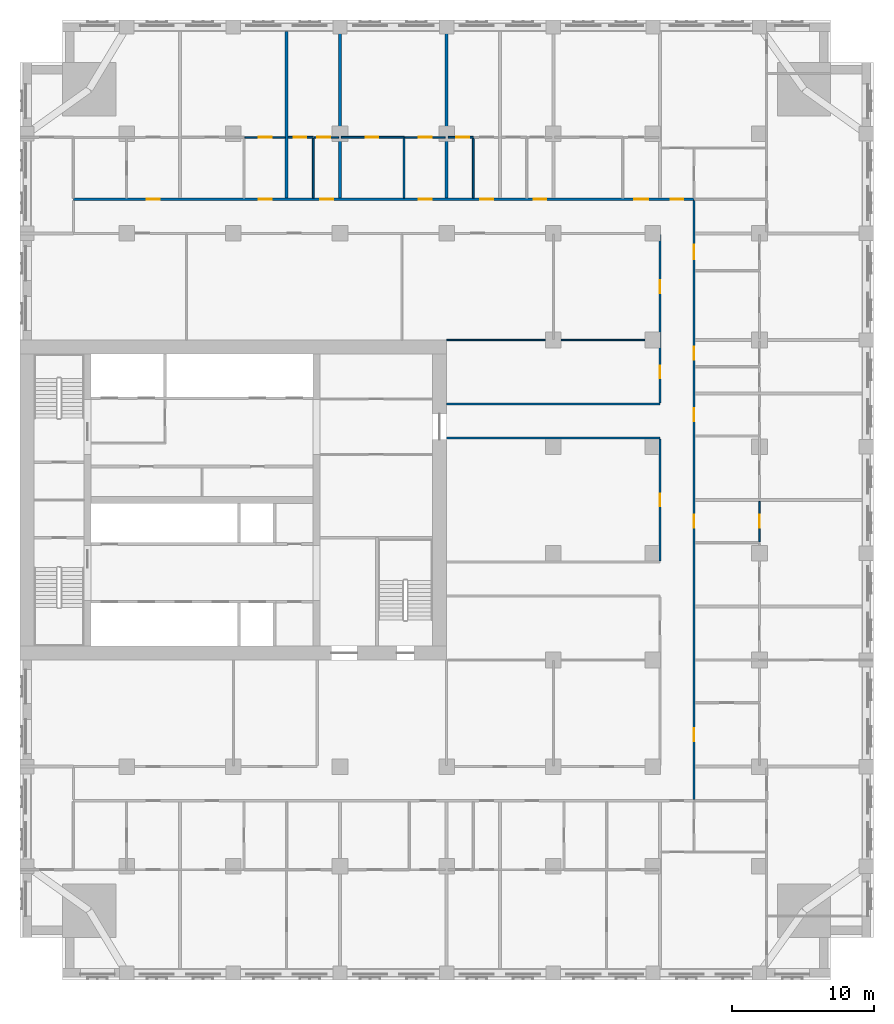
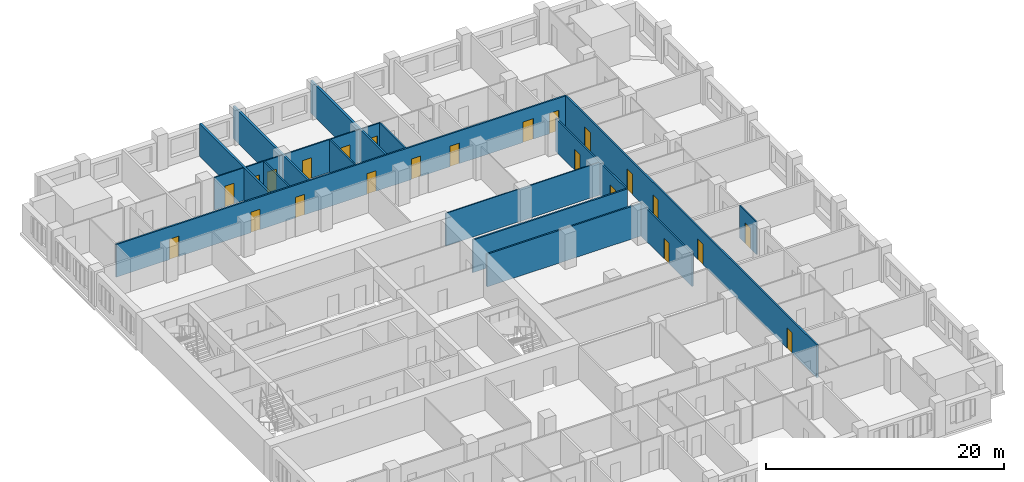
# One storey, part 9 of 14: 23 doors, 20 walls, 23 openings.
"""IFC4 building model written with IfcOpenShell, lengths in metres."""

from ifc_helpers import new_model, si_unit, direction, frame, frame_2d, origin, place, context, subcontext, project, spatial, rectangle, extrude, material, layer, layer_set, type_object, element, fill, save


model = new_model("IFC4")

# Units and contexts
model_context = context("Model", 3, precision=1e-05, world=origin(), true_north=direction((0.0, 1.0)))
body_context = subcontext(model_context, "Body", "Model", "MODEL_VIEW")
ifc_project = project(units=[si_unit("LENGTHUNIT", "METRE"), si_unit("AREAUNIT", "SQUARE_METRE"), si_unit("VOLUMEUNIT", "CUBIC_METRE"), si_unit("PLANEANGLEUNIT", "RADIAN"), si_unit("MASSUNIT", "GRAM", prefix="KILO")], contexts=[model_context])

# Site, building, storey
site_placement = place(None, origin())
site = spatial("IfcSite", under=ifc_project, at=site_placement, CompositionType="ELEMENT")
building_placement = place(site_placement, origin())
building = spatial("IfcBuilding", under=site, at=building_placement, Name="Tamorin Gate", CompositionType="ELEMENT")
storey_placement = place(building_placement, frame((0.0, 0.0, 93.5)))
storey = spatial("IfcBuildingStorey", under=building, at=storey_placement, Name="L22", CompositionType="ELEMENT", Elevation=93.5)

# Wall, openings, doors
ifc_material_1 = material(Name="Gypsum board partition")
ifc_layer_1 = layer(ifc_material_1, 0.14990234375)
ifc_layer_set_1 = layer_set([ifc_layer_1], Name="Corridor wall 150")
wall_type_1 = type_object("IfcWallType", Name="Corridor wall 150", PredefinedType="PARTITIONING", material=ifc_layer_set_1)
wall_1_placement = place(storey_placement, frame((33.75, 92.39990234375, 0.0), z_axis=(0.0, 0.0, 1.0), x_axis=(1.0, 0.0, 0.0)))
wall_1 = element("IfcWall", 1, at=wall_1_placement, inside=storey, type_object=wall_type_1, Name="Corridor wall 150", PredefinedType="PARTITIONING", context=body_context, shape_type="SweptSolid", body=[
    extrude(rectangle(XDim=43.64990234375, YDim=0.14990234375, at=frame_2d((21.824951171875, 0.0))), origin(), (0.0, 0.0, 1.0), 3.35009765625),
])
opening_1_placement = place(wall_1_placement, frame((5.175048828125, 0.0, 0.0)))
opening_1 = element("IfcOpeningElement", 2, at=opening_1_placement, cuts=wall_1, Name="Opening DH5023", PredefinedType="OPENING", context=body_context, shape_type="SweptSolid", body=[
    extrude(rectangle(XDim=0.89990234375, YDim=2.10009765625, at=frame_2d((0.449951171875, 1.050048828125))), frame((0.0, 0.0849609375, 0.0), z_axis=(0.0, -1.0, 0.0), x_axis=(1.0, 0.0, 0.0)), (0.0, 0.0, 1.0), 0.169921875),
])
opening_2_placement = place(wall_1_placement, frame((13.050048828125, 0.0, 0.0)))
opening_2 = element("IfcOpeningElement", 3, at=opening_2_placement, cuts=wall_1, Name="Opening DH5026", PredefinedType="OPENING", context=body_context, shape_type="SweptSolid", body=[
    extrude(rectangle(XDim=0.89990234375, YDim=2.10009765625, at=frame_2d((0.449951171875, 1.050048828125))), frame((0.0, 0.0849609375, 0.0), z_axis=(0.0, -1.0, 0.0), x_axis=(1.0, 0.0, 0.0)), (0.0, 0.0, 1.0), 0.169921875),
])
opening_3_placement = place(wall_1_placement, frame((17.362548828125, 0.0, 0.0)))
opening_3 = element("IfcOpeningElement", 4, at=opening_3_placement, cuts=wall_1, Name="Opening DH5029", PredefinedType="OPENING", context=body_context, shape_type="SweptSolid", body=[
    extrude(rectangle(XDim=0.89990234375, YDim=2.10009765625, at=frame_2d((0.449951171875, 1.050048828125))), frame((0.0, 0.0849609375, 0.0), z_axis=(0.0, -1.0, 0.0), x_axis=(1.0, 0.0, 0.0)), (0.0, 0.0, 1.0), 0.169921875),
])
opening_4_placement = place(wall_1_placement, frame((24.300048828125, 0.0, 0.0)))
opening_4 = element("IfcOpeningElement", 5, at=opening_4_placement, cuts=wall_1, Name="Opening DH5032", PredefinedType="OPENING", context=body_context, shape_type="SweptSolid", body=[
    extrude(rectangle(XDim=0.89990234375, YDim=2.10009765625, at=frame_2d((0.449951171875, 1.050048828125))), frame((0.0, 0.0849609375, 0.0), z_axis=(0.0, -1.0, 0.0), x_axis=(1.0, 0.0, 0.0)), (0.0, 0.0, 1.0), 0.169921875),
])
opening_5_placement = place(wall_1_placement, frame((28.612548828125, 0.0, 0.0)))
opening_5 = element("IfcOpeningElement", 6, at=opening_5_placement, cuts=wall_1, Name="Opening DH5035", PredefinedType="OPENING", context=body_context, shape_type="SweptSolid", body=[
    extrude(rectangle(XDim=0.89990234375, YDim=2.10009765625, at=frame_2d((0.449951171875, 1.050048828125))), frame((0.0, 0.0849609375, 0.0), z_axis=(0.0, -1.0, 0.0), x_axis=(1.0, 0.0, 0.0)), (0.0, 0.0, 1.0), 0.169921875),
])
opening_6_placement = place(wall_1_placement, frame((32.362548828125, 0.0, 0.0)))
opening_6 = element("IfcOpeningElement", 7, at=opening_6_placement, cuts=wall_1, Name="Opening DH5038", PredefinedType="OPENING", context=body_context, shape_type="SweptSolid", body=[
    extrude(rectangle(XDim=0.89990234375, YDim=2.10009765625, at=frame_2d((0.449951171875, 1.050048828125))), frame((0.0, 0.0849609375, 0.0), z_axis=(0.0, -1.0, 0.0), x_axis=(1.0, 0.0, 0.0)), (0.0, 0.0, 1.0), 0.169921875),
])
opening_7_placement = place(wall_1_placement, frame((39.4375, 0.0, 0.0)))
opening_7 = element("IfcOpeningElement", 8, at=opening_7_placement, cuts=wall_1, Name="Opening DH5041", PredefinedType="OPENING", context=body_context, shape_type="SweptSolid", body=[
    extrude(rectangle(XDim=1.0, YDim=2.10009765625, at=frame_2d((0.5, 1.050048828125))), frame((0.0, 0.0849609375, 0.0), z_axis=(0.0, -1.0, 0.0), x_axis=(1.0, 0.0, 0.0)), (0.0, 0.0, 1.0), 0.169921875),
])
opening_8_placement = place(wall_1_placement, frame((42.0, 0.0, 0.0)))
opening_8 = element("IfcOpeningElement", 9, at=opening_8_placement, cuts=wall_1, Name="Opening DH5066", PredefinedType="OPENING", context=body_context, shape_type="SweptSolid", body=[
    extrude(rectangle(XDim=0.89990234375, YDim=2.10009765625, at=frame_2d((0.449951171875, 1.050048828125))), frame((0.0, 0.0849609375, 0.0), z_axis=(0.0, -1.0, 0.0), x_axis=(1.0, 0.0, 0.0)), (0.0, 0.0, 1.0), 0.169921875),
])
ifc_material_2 = material(Name="Timber door leaf", Category="wood")
door_type_1 = type_object("IfcDoorType", Name="Door 1000 x 2100 FD30S", OperationType="NOTDEFINED", PredefinedType="DOOR", material=ifc_material_2)
door_1_placement = place(opening_7_placement, origin())
door_1 = element("IfcDoor", 10, at=door_1_placement, inside=storey, type_object=door_type_1, Name="Door DH5041", OperationType="SINGLE_SWING_LEFT", OverallHeight=2.10009765625, OverallWidth=1.0, PredefinedType="DOOR", context=body_context, shape_type="SweptSolid", body=[
    extrude(rectangle(XDim=1.0, YDim=2.10009765625, at=frame_2d((0.5, 1.050048828125))), frame((0.0, 0.02490234375, 0.0), z_axis=(0.0, -1.0, 0.0), x_axis=(1.0, 0.0, 0.0)), (0.0, 0.0, 1.0), 0.050048828125),
])
fill(opening_7, door_1)
door_type_2 = type_object("IfcDoorType", Name="Door 900 x 2100 FD30S", OperationType="NOTDEFINED", PredefinedType="DOOR", material=ifc_material_2)
door_2_placement = place(opening_1_placement, origin())
door_2 = element("IfcDoor", 11, at=door_2_placement, inside=storey, type_object=door_type_2, Name="Door DH5023", OperationType="SINGLE_SWING_LEFT", OverallHeight=2.10009765625, OverallWidth=0.89990234375, PredefinedType="DOOR", context=body_context, shape_type="SweptSolid", body=[
    extrude(rectangle(XDim=0.89990234375, YDim=2.10009765625, at=frame_2d((0.449951171875, 1.050048828125))), frame((0.0, 0.02490234375, 0.0), z_axis=(0.0, -1.0, 0.0), x_axis=(1.0, 0.0, 0.0)), (0.0, 0.0, 1.0), 0.050048828125),
])
fill(opening_1, door_2)
door_3_placement = place(opening_2_placement, origin())
door_3 = element("IfcDoor", 12, at=door_3_placement, inside=storey, type_object=door_type_2, Name="Door DH5026", OperationType="SINGLE_SWING_LEFT", OverallHeight=2.10009765625, OverallWidth=0.89990234375, PredefinedType="DOOR", context=body_context, shape_type="SweptSolid", body=[
    extrude(rectangle(XDim=0.89990234375, YDim=2.10009765625, at=frame_2d((0.449951171875, 1.050048828125))), frame((0.0, 0.02490234375, 0.0), z_axis=(0.0, -1.0, 0.0), x_axis=(1.0, 0.0, 0.0)), (0.0, 0.0, 1.0), 0.050048828125),
])
fill(opening_2, door_3)
door_4_placement = place(opening_3_placement, origin())
door_4 = element("IfcDoor", 13, at=door_4_placement, inside=storey, type_object=door_type_2, Name="Door DH5029", OperationType="SINGLE_SWING_LEFT", OverallHeight=2.10009765625, OverallWidth=0.89990234375, PredefinedType="DOOR", context=body_context, shape_type="SweptSolid", body=[
    extrude(rectangle(XDim=0.89990234375, YDim=2.10009765625, at=frame_2d((0.449951171875, 1.050048828125))), frame((0.0, 0.02490234375, 0.0), z_axis=(0.0, -1.0, 0.0), x_axis=(1.0, 0.0, 0.0)), (0.0, 0.0, 1.0), 0.050048828125),
])
fill(opening_3, door_4)
door_5_placement = place(opening_4_placement, origin())
door_5 = element("IfcDoor", 14, at=door_5_placement, inside=storey, type_object=door_type_2, Name="Door DH5032", OperationType="SINGLE_SWING_LEFT", OverallHeight=2.10009765625, OverallWidth=0.89990234375, PredefinedType="DOOR", context=body_context, shape_type="SweptSolid", body=[
    extrude(rectangle(XDim=0.89990234375, YDim=2.10009765625, at=frame_2d((0.449951171875, 1.050048828125))), frame((0.0, 0.02490234375, 0.0), z_axis=(0.0, -1.0, 0.0), x_axis=(1.0, 0.0, 0.0)), (0.0, 0.0, 1.0), 0.050048828125),
])
fill(opening_4, door_5)
door_6_placement = place(opening_5_placement, origin())
door_6 = element("IfcDoor", 15, at=door_6_placement, inside=storey, type_object=door_type_2, Name="Door DH5035", OperationType="SINGLE_SWING_LEFT", OverallHeight=2.10009765625, OverallWidth=0.89990234375, PredefinedType="DOOR", context=body_context, shape_type="SweptSolid", body=[
    extrude(rectangle(XDim=0.89990234375, YDim=2.10009765625, at=frame_2d((0.449951171875, 1.050048828125))), frame((0.0, 0.02490234375, 0.0), z_axis=(0.0, -1.0, 0.0), x_axis=(1.0, 0.0, 0.0)), (0.0, 0.0, 1.0), 0.050048828125),
])
fill(opening_5, door_6)
door_7_placement = place(opening_6_placement, origin())
door_7 = element("IfcDoor", 16, at=door_7_placement, inside=storey, type_object=door_type_2, Name="Door DH5038", OperationType="SINGLE_SWING_LEFT", OverallHeight=2.10009765625, OverallWidth=0.89990234375, PredefinedType="DOOR", context=body_context, shape_type="SweptSolid", body=[
    extrude(rectangle(XDim=0.89990234375, YDim=2.10009765625, at=frame_2d((0.449951171875, 1.050048828125))), frame((0.0, 0.02490234375, 0.0), z_axis=(0.0, -1.0, 0.0), x_axis=(1.0, 0.0, 0.0)), (0.0, 0.0, 1.0), 0.050048828125),
])
fill(opening_6, door_7)
door_8_placement = place(opening_8_placement, origin())
door_8 = element("IfcDoor", 17, at=door_8_placement, inside=storey, type_object=door_type_2, Name="Door DH5066", OperationType="SINGLE_SWING_RIGHT", OverallHeight=2.10009765625, OverallWidth=0.89990234375, PredefinedType="DOOR", context=body_context, shape_type="SweptSolid", body=[
    extrude(rectangle(XDim=0.89990234375, YDim=2.10009765625, at=frame_2d((0.449951171875, 1.050048828125))), frame((0.0, 0.02490234375, 0.0), z_axis=(0.0, -1.0, 0.0), x_axis=(1.0, 0.0, 0.0)), (0.0, 0.0, 1.0), 0.050048828125),
])
fill(opening_8, door_8)

# Wall, opening, door
wall_2_placement = place(storey_placement, frame((75.0, 66.97509765625, 0.0), z_axis=(0.0, 0.0, 1.0), x_axis=(0.0, 1.0, 0.0)))
wall_2 = element("IfcWall", 18, at=wall_2_placement, inside=storey, type_object=wall_type_1, Name="Corridor wall 150", PredefinedType="PARTITIONING", context=body_context, shape_type="SweptSolid", body=[
    extrude(rectangle(XDim=8.5498046875, YDim=0.14990234375, at=frame_2d((4.27490234375, 0.0))), origin(), (0.0, 0.0, 1.0), 3.35009765625),
])
opening_9_placement = place(wall_2_placement, frame((3.824951171875, 0.0, 0.0)))
opening_9 = element("IfcOpeningElement", 19, at=opening_9_placement, cuts=wall_2, Name="Opening DH5081", PredefinedType="OPENING", context=body_context, shape_type="SweptSolid", body=[
    extrude(rectangle(XDim=0.89990234375, YDim=2.10009765625, at=frame_2d((0.449951171875, 1.050048828125))), frame((0.0, 0.0849609375, 0.0), z_axis=(0.0, -1.0, 0.0), x_axis=(1.0, 0.0, 0.0)), (0.0, 0.0, 1.0), 0.169921875),
])
door_9_placement = place(opening_9_placement, origin())
door_9 = element("IfcDoor", 20, at=door_9_placement, inside=storey, type_object=door_type_2, Name="Door DH5081", OperationType="SINGLE_SWING_LEFT", OverallHeight=2.10009765625, OverallWidth=0.89990234375, PredefinedType="DOOR", context=body_context, shape_type="SweptSolid", body=[
    extrude(rectangle(XDim=0.89990234375, YDim=2.10009765625, at=frame_2d((0.449951171875, 1.050048828125))), frame((0.0, 0.02490234375, 0.0), z_axis=(0.0, -1.0, 0.0), x_axis=(1.0, 0.0, 0.0)), (0.0, 0.0, 1.0), 0.050048828125),
])
fill(opening_9, door_9)

# Wall, openings, doors
wall_3_placement = place(storey_placement, frame((75.0, 78.074951171875, 0.0), z_axis=(0.0, 0.0, 1.0), x_axis=(0.0, 1.0, 0.0)))
wall_3 = element("IfcWall", 21, at=wall_3_placement, inside=storey, type_object=wall_type_1, Name="Corridor wall 150", PredefinedType="PARTITIONING", context=body_context, shape_type="SweptSolid", body=[
    extrude(rectangle(XDim=11.85009765625, YDim=0.14990234375, at=frame_2d((5.925048828125, 0.0))), origin(), (0.0, 0.0, 1.0), 3.35009765625),
])
opening_10_placement = place(wall_3_placement, frame((7.72509765625, 0.0, 0.0)))
opening_10 = element("IfcOpeningElement", 22, at=opening_10_placement, cuts=wall_3, Name="Opening DH5079", PredefinedType="OPENING", context=body_context, shape_type="SweptSolid", body=[
    extrude(rectangle(XDim=0.89990234375, YDim=2.10009765625, at=frame_2d((0.449951171875, 1.050048828125))), frame((0.0, 0.0849609375, 0.0), z_axis=(0.0, -1.0, 0.0), x_axis=(1.0, 0.0, 0.0)), (0.0, 0.0, 1.0), 0.169921875),
])
opening_11_placement = place(wall_3_placement, frame((1.72509765625, 0.0, 0.0)))
opening_11 = element("IfcOpeningElement", 23, at=opening_11_placement, cuts=wall_3, Name="Opening DH5082", PredefinedType="OPENING", context=body_context, shape_type="SweptSolid", body=[
    extrude(rectangle(XDim=0.89990234375, YDim=2.10009765625, at=frame_2d((0.449951171875, 1.050048828125))), frame((0.0, 0.0849609375, 0.0), z_axis=(0.0, -1.0, 0.0), x_axis=(1.0, 0.0, 0.0)), (0.0, 0.0, 1.0), 0.169921875),
])
door_10_placement = place(opening_10_placement, origin())
door_10 = element("IfcDoor", 24, at=door_10_placement, inside=storey, type_object=door_type_2, Name="Door DH5079", OperationType="SINGLE_SWING_LEFT", OverallHeight=2.10009765625, OverallWidth=0.89990234375, PredefinedType="DOOR", context=body_context, shape_type="SweptSolid", body=[
    extrude(rectangle(XDim=0.89990234375, YDim=2.10009765625, at=frame_2d((0.449951171875, 1.050048828125))), frame((0.0, 0.02490234375, 0.0), z_axis=(0.0, -1.0, 0.0), x_axis=(1.0, 0.0, 0.0)), (0.0, 0.0, 1.0), 0.050048828125),
])
fill(opening_10, door_10)
door_11_placement = place(opening_11_placement, origin())
door_11 = element("IfcDoor", 25, at=door_11_placement, inside=storey, type_object=door_type_2, Name="Door DH5082", OperationType="SINGLE_SWING_LEFT", OverallHeight=2.10009765625, OverallWidth=0.89990234375, PredefinedType="DOOR", context=body_context, shape_type="SweptSolid", body=[
    extrude(rectangle(XDim=0.89990234375, YDim=2.10009765625, at=frame_2d((0.449951171875, 1.050048828125))), frame((0.0, 0.02490234375, 0.0), z_axis=(0.0, -1.0, 0.0), x_axis=(1.0, 0.0, 0.0)), (0.0, 0.0, 1.0), 0.050048828125),
])
fill(opening_11, door_11)

wall_4_placement = place(storey_placement, frame((77.39990234375, 50.175048828125, 0.0), z_axis=(0.0, 0.0, 1.0), x_axis=(0.0, 1.0, 0.0)))
wall_4 = element("IfcWall", 26, at=wall_4_placement, inside=storey, type_object=wall_type_1, Name="Corridor wall 150", PredefinedType="PARTITIONING", context=body_context, shape_type="SweptSolid", body=[
    extrude(rectangle(XDim=42.14990234375, YDim=0.14990234375, at=frame_2d((21.074951171875, 0.0))), origin(), (0.0, 0.0, 1.0), 3.35009765625),
])
opening_12_placement = place(wall_4_placement, frame((4.125, 0.0, 0.0)))
opening_12 = element("IfcOpeningElement", 27, at=opening_12_placement, cuts=wall_4, Name="Opening DH5043", PredefinedType="OPENING", context=body_context, shape_type="SweptSolid", body=[
    extrude(rectangle(XDim=0.89990234375, YDim=2.10009765625, at=frame_2d((0.449951171875, 1.050048828125))), frame((0.0, 0.0849609375, 0.0), z_axis=(0.0, -1.0, 0.0), x_axis=(1.0, 0.0, 0.0)), (0.0, 0.0, 1.0), 0.169921875),
])
opening_13_placement = place(wall_4_placement, frame((19.125, 0.0, 0.0)))
opening_13 = element("IfcOpeningElement", 28, at=opening_13_placement, cuts=wall_4, Name="Opening DH5049", PredefinedType="OPENING", context=body_context, shape_type="SweptSolid", body=[
    extrude(rectangle(XDim=0.89990234375, YDim=2.10009765625, at=frame_2d((0.449951171875, 1.050048828125))), frame((0.0, 0.0849609375, 0.0), z_axis=(0.0, -1.0, 0.0), x_axis=(1.0, 0.0, 0.0)), (0.0, 0.0, 1.0), 0.169921875),
])
opening_14_placement = place(wall_4_placement, frame((26.625, 0.0, 0.0)))
opening_14 = element("IfcOpeningElement", 29, at=opening_14_placement, cuts=wall_4, Name="Opening DH5052", PredefinedType="OPENING", context=body_context, shape_type="SweptSolid", body=[
    extrude(rectangle(XDim=0.89990234375, YDim=2.10009765625, at=frame_2d((0.449951171875, 1.050048828125))), frame((0.0, 0.0849609375, 0.0), z_axis=(0.0, -1.0, 0.0), x_axis=(1.0, 0.0, 0.0)), (0.0, 0.0, 1.0), 0.169921875),
])
opening_15_placement = place(wall_4_placement, frame((30.9375, 0.0, 0.0)))
opening_15 = element("IfcOpeningElement", 30, at=opening_15_placement, cuts=wall_4, Name="Opening DH5055", PredefinedType="OPENING", context=body_context, shape_type="SweptSolid", body=[
    extrude(rectangle(XDim=0.89990234375, YDim=2.10009765625, at=frame_2d((0.449951171875, 1.050048828125))), frame((0.0, 0.0849609375, 0.0), z_axis=(0.0, -1.0, 0.0), x_axis=(1.0, 0.0, 0.0)), (0.0, 0.0, 1.0), 0.169921875),
])
opening_16_placement = place(wall_4_placement, frame((38.012451171875, 0.0, 0.0)))
opening_16 = element("IfcOpeningElement", 31, at=opening_16_placement, cuts=wall_4, Name="Opening DH5058", PredefinedType="OPENING", context=body_context, shape_type="SweptSolid", body=[
    extrude(rectangle(XDim=1.0, YDim=2.10009765625, at=frame_2d((0.5, 1.050048828125))), frame((0.0, 0.0849609375, 0.0), z_axis=(0.0, -1.0, 0.0), x_axis=(1.0, 0.0, 0.0)), (0.0, 0.0, 1.0), 0.169921875),
])
door_12_placement = place(opening_16_placement, origin())
door_12 = element("IfcDoor", 32, at=door_12_placement, inside=storey, type_object=door_type_1, Name="Door DH5058", OperationType="SINGLE_SWING_RIGHT", OverallHeight=2.10009765625, OverallWidth=1.0, PredefinedType="DOOR", context=body_context, shape_type="SweptSolid", body=[
    extrude(rectangle(XDim=1.0, YDim=2.10009765625, at=frame_2d((0.5, 1.050048828125))), frame((0.0, 0.02490234375, 0.0), z_axis=(0.0, -1.0, 0.0), x_axis=(1.0, 0.0, 0.0)), (0.0, 0.0, 1.0), 0.050048828125),
])
fill(opening_16, door_12)
door_13_placement = place(opening_12_placement, origin())
door_13 = element("IfcDoor", 33, at=door_13_placement, inside=storey, type_object=door_type_2, Name="Door DH5043", OperationType="SINGLE_SWING_RIGHT", OverallHeight=2.10009765625, OverallWidth=0.89990234375, PredefinedType="DOOR", context=body_context, shape_type="SweptSolid", body=[
    extrude(rectangle(XDim=0.89990234375, YDim=2.10009765625, at=frame_2d((0.449951171875, 1.050048828125))), frame((0.0, 0.02490234375, 0.0), z_axis=(0.0, -1.0, 0.0), x_axis=(1.0, 0.0, 0.0)), (0.0, 0.0, 1.0), 0.050048828125),
])
fill(opening_12, door_13)
door_14_placement = place(opening_13_placement, origin())
door_14 = element("IfcDoor", 34, at=door_14_placement, inside=storey, type_object=door_type_2, Name="Door DH5049", OperationType="SINGLE_SWING_RIGHT", OverallHeight=2.10009765625, OverallWidth=0.89990234375, PredefinedType="DOOR", context=body_context, shape_type="SweptSolid", body=[
    extrude(rectangle(XDim=0.89990234375, YDim=2.10009765625, at=frame_2d((0.449951171875, 1.050048828125))), frame((0.0, 0.02490234375, 0.0), z_axis=(0.0, -1.0, 0.0), x_axis=(1.0, 0.0, 0.0)), (0.0, 0.0, 1.0), 0.050048828125),
])
fill(opening_13, door_14)
door_15_placement = place(opening_14_placement, origin())
door_15 = element("IfcDoor", 35, at=door_15_placement, inside=storey, type_object=door_type_2, Name="Door DH5052", OperationType="SINGLE_SWING_RIGHT", OverallHeight=2.10009765625, OverallWidth=0.89990234375, PredefinedType="DOOR", context=body_context, shape_type="SweptSolid", body=[
    extrude(rectangle(XDim=0.89990234375, YDim=2.10009765625, at=frame_2d((0.449951171875, 1.050048828125))), frame((0.0, 0.02490234375, 0.0), z_axis=(0.0, -1.0, 0.0), x_axis=(1.0, 0.0, 0.0)), (0.0, 0.0, 1.0), 0.050048828125),
])
fill(opening_14, door_15)
door_16_placement = place(opening_15_placement, origin())
door_16 = element("IfcDoor", 36, at=door_16_placement, inside=storey, type_object=door_type_2, Name="Door DH5055", OperationType="SINGLE_SWING_RIGHT", OverallHeight=2.10009765625, OverallWidth=0.89990234375, PredefinedType="DOOR", context=body_context, shape_type="SweptSolid", body=[
    extrude(rectangle(XDim=0.89990234375, YDim=2.10009765625, at=frame_2d((0.449951171875, 1.050048828125))), frame((0.0, 0.02490234375, 0.0), z_axis=(0.0, -1.0, 0.0), x_axis=(1.0, 0.0, 0.0)), (0.0, 0.0, 1.0), 0.050048828125),
])
fill(opening_15, door_16)

# Walls
ifc_layer_2 = layer(ifc_material_1, 0.199951171875)
ifc_layer_set_2 = layer_set([ifc_layer_2], Name="Demising wall 200")
wall_type_2 = type_object("IfcWallType", Name="Demising wall 200", PredefinedType="PARTITIONING", material=ifc_layer_set_2)
wall_5_placement = place(storey_placement, frame((48.75, 92.47509765625, 0.0), z_axis=(0.0, 0.0, 1.0), x_axis=(0.0, 1.0, 0.0)))
element("IfcWall", 37, at=wall_5_placement, inside=storey, type_object=wall_type_2, Name="Demising wall 200", PredefinedType="PARTITIONING", context=body_context, shape_type="SweptSolid", body=[
    extrude(rectangle(XDim=11.71484375, YDim=0.199951171875, at=frame_2d((5.857421875, 0.0))), origin(), (0.0, 0.0, 1.0), 3.35009765625),
])
for number, where, z_axis, x_axis, name in (
    (38, (52.5, 92.47509765625, 0.0), (0.0, 0.0, 1.0), (0.0, 1.0, 0.0), "Demising wall 200"),
    (39, (60.0, 92.47509765625, 0.0), (0.0, 0.0, 1.0), (0.0, 1.0, 0.0), "Demising wall 200"),
):
    element("IfcWall", number, at=place(storey_placement, frame(where, z_axis=z_axis, x_axis=x_axis)), inside=storey, type_object=wall_type_2, Name=name, PredefinedType="PARTITIONING", context=body_context, shape_type="SweptSolid", body=[
        extrude(rectangle(XDim=12.52490234375, YDim=0.199951171875, at=frame_2d((6.262451171875, 0.0))), origin(), (0.0, 0.0, 1.0), 3.35009765625),
    ])
ifc_layer_3 = layer(ifc_material_1, 0.14990234375)
ifc_layer_set_3 = layer_set([ifc_layer_3], Name="Lobby wall 150")
wall_type_3 = type_object("IfcWallType", Name="Lobby wall 150", PredefinedType="PARTITIONING", material=ifc_layer_set_3)
for number, where, z_axis, x_axis, name in (
    (40, (60.0, 75.60009765625, 0.0), (0.0, 0.0, 1.0), (1.0, 0.0, 0.0), "Lobby wall 150"),
    (41, (60.0, 78.0, 0.0), (0.0, 0.0, 1.0), (1.0, 0.0, 0.0), "Lobby wall 150"),
):
    element("IfcWall", number, at=place(storey_placement, frame(where, z_axis=z_axis, x_axis=x_axis)), inside=storey, type_object=wall_type_3, Name=name, PredefinedType="PARTITIONING", context=body_context, shape_type="SweptSolid", body=[
        extrude(rectangle(XDim=15.0, YDim=0.14990234375, at=frame_2d((7.5, 0.0))), origin(), (0.0, 0.0, 1.0), 3.35009765625),
    ])
ifc_layer_4 = layer(ifc_material_1, 0.10009765625)
ifc_layer_set_4 = layer_set([ifc_layer_4], Name="Room partition 100")
wall_type_4 = type_object("IfcWallType", Name="Room partition 100", PredefinedType="PARTITIONING", material=ifc_layer_set_4)
wall_6_placement = place(storey_placement, frame((60.0, 82.5, 0.0), z_axis=(0.0, 0.0, 1.0), x_axis=(1.0, 0.0, 0.0)))
element("IfcWall", 42, at=wall_6_placement, inside=storey, type_object=wall_type_4, Name="Room partition 100", PredefinedType="PARTITIONING", context=body_context, shape_type="SweptSolid", body=[
    extrude(rectangle(XDim=14.925048828125, YDim=0.10009765625, at=frame_2d((7.46240234375, 0.0))), origin(), (0.0, 0.0, 1.0), 3.35009765625),
])

# Wall, opening, door
wall_7_placement = place(storey_placement, frame((45.8125, 96.75, 0.0), z_axis=(0.0, 0.0, 1.0), x_axis=(1.0, 0.0, 0.0)))
wall_7 = element("IfcWall", 43, at=wall_7_placement, inside=storey, type_object=wall_type_4, Name="Room partition 100", PredefinedType="PARTITIONING", context=body_context, shape_type="SweptSolid", body=[
    extrude(rectangle(XDim=2.83740234375, YDim=0.10009765625, at=frame_2d((1.418701171875, 0.0))), origin(), (0.0, 0.0, 1.0), 3.35009765625),
])
opening_17_placement = place(wall_7_placement, frame((0.987548828125, 0.0, 0.0)))
opening_17 = element("IfcOpeningElement", 44, at=opening_17_placement, cuts=wall_7, Name="Opening DH5027", PredefinedType="OPENING", context=body_context, shape_type="SweptSolid", body=[
    extrude(rectangle(XDim=0.89990234375, YDim=2.10009765625, at=frame_2d((0.449951171875, 1.050048828125))), frame((0.0, 0.06005859375, 0.0), z_axis=(0.0, -1.0, 0.0), x_axis=(1.0, 0.0, 0.0)), (0.0, 0.0, 1.0), 0.1201171875),
])
door_type_3 = type_object("IfcDoorType", Name="Door 900 x 2100", OperationType="NOTDEFINED", PredefinedType="DOOR", material=ifc_material_2)
door_17_placement = place(opening_17_placement, origin())
door_17 = element("IfcDoor", 45, at=door_17_placement, inside=storey, type_object=door_type_3, Name="Door DH5027", OperationType="SINGLE_SWING_RIGHT", OverallHeight=2.10009765625, OverallWidth=0.89990234375, PredefinedType="DOOR", context=body_context, shape_type="SweptSolid", body=[
    extrude(rectangle(XDim=0.89990234375, YDim=2.10009765625, at=frame_2d((0.449951171875, 1.050048828125))), frame((0.0, 0.02490234375, 0.0), z_axis=(0.0, -1.0, 0.0), x_axis=(1.0, 0.0, 0.0)), (0.0, 0.0, 1.0), 0.050048828125),
])
fill(opening_17, door_17)

wall_8_placement = place(storey_placement, frame((50.6875, 96.75, 0.0), z_axis=(0.0, 0.0, 1.0), x_axis=(1.0, 0.0, 0.0)))
wall_8 = element("IfcWall", 46, at=wall_8_placement, inside=storey, type_object=wall_type_4, Name="Room partition 100", PredefinedType="PARTITIONING", context=body_context, shape_type="SweptSolid", body=[
    extrude(rectangle(XDim=1.71240234375, YDim=0.10009765625, at=frame_2d((0.856201171875, 0.0))), origin(), (0.0, 0.0, 1.0), 3.35009765625),
])
opening_18_placement = place(wall_8_placement, frame((0.22509765625, 0.0, 0.0)))
opening_18 = element("IfcOpeningElement", 47, at=opening_18_placement, cuts=wall_8, Name="Opening DH5030", PredefinedType="OPENING", context=body_context, shape_type="SweptSolid", body=[
    extrude(rectangle(XDim=0.89990234375, YDim=2.10009765625, at=frame_2d((0.449951171875, 1.050048828125))), frame((0.0, 0.06005859375, 0.0), z_axis=(0.0, -1.0, 0.0), x_axis=(1.0, 0.0, 0.0)), (0.0, 0.0, 1.0), 0.1201171875),
])
door_18_placement = place(opening_18_placement, origin())
door_18 = element("IfcDoor", 48, at=door_18_placement, inside=storey, type_object=door_type_3, Name="Door DH5030", OperationType="SINGLE_SWING_RIGHT", OverallHeight=2.10009765625, OverallWidth=0.89990234375, PredefinedType="DOOR", context=body_context, shape_type="SweptSolid", body=[
    extrude(rectangle(XDim=0.89990234375, YDim=2.10009765625, at=frame_2d((0.449951171875, 1.050048828125))), frame((0.0, 0.02490234375, 0.0), z_axis=(0.0, -1.0, 0.0), x_axis=(1.0, 0.0, 0.0)), (0.0, 0.0, 1.0), 0.050048828125),
])
fill(opening_18, door_18)

wall_9_placement = place(storey_placement, frame((57.0625, 96.75, 0.0), z_axis=(0.0, 0.0, 1.0), x_axis=(1.0, 0.0, 0.0)))
wall_9 = element("IfcWall", 49, at=wall_9_placement, inside=storey, type_object=wall_type_4, Name="Room partition 100", PredefinedType="PARTITIONING", context=body_context, shape_type="SweptSolid", body=[
    extrude(rectangle(XDim=2.83740234375, YDim=0.10009765625, at=frame_2d((1.418701171875, 0.0))), origin(), (0.0, 0.0, 1.0), 3.35009765625),
])
opening_19_placement = place(wall_9_placement, frame((0.987548828125, 0.0, 0.0)))
opening_19 = element("IfcOpeningElement", 50, at=opening_19_placement, cuts=wall_9, Name="Opening DH5033", PredefinedType="OPENING", context=body_context, shape_type="SweptSolid", body=[
    extrude(rectangle(XDim=0.89990234375, YDim=2.10009765625, at=frame_2d((0.449951171875, 1.050048828125))), frame((0.0, 0.06005859375, 0.0), z_axis=(0.0, -1.0, 0.0), x_axis=(1.0, 0.0, 0.0)), (0.0, 0.0, 1.0), 0.1201171875),
])
door_19_placement = place(opening_19_placement, origin())
door_19 = element("IfcDoor", 51, at=door_19_placement, inside=storey, type_object=door_type_3, Name="Door DH5033", OperationType="SINGLE_SWING_RIGHT", OverallHeight=2.10009765625, OverallWidth=0.89990234375, PredefinedType="DOOR", context=body_context, shape_type="SweptSolid", body=[
    extrude(rectangle(XDim=0.89990234375, YDim=2.10009765625, at=frame_2d((0.449951171875, 1.050048828125))), frame((0.0, 0.02490234375, 0.0), z_axis=(0.0, -1.0, 0.0), x_axis=(1.0, 0.0, 0.0)), (0.0, 0.0, 1.0), 0.050048828125),
])
fill(opening_19, door_19)

wall_10_placement = place(storey_placement, frame((82.0, 68.3125, 0.0), z_axis=(0.0, 0.0, 1.0), x_axis=(0.0, 1.0, 0.0)))
wall_10 = element("IfcWall", 52, at=wall_10_placement, inside=storey, type_object=wall_type_4, Name="Room partition 100", PredefinedType="PARTITIONING", context=body_context, shape_type="SweptSolid", body=[
    extrude(rectangle(XDim=2.83740234375, YDim=0.10009765625, at=frame_2d((1.418701171875, 0.0))), origin(), (0.0, 0.0, 1.0), 3.35009765625),
])
opening_20_placement = place(wall_10_placement, frame((0.987548828125, 0.0, 0.0)))
opening_20 = element("IfcOpeningElement", 53, at=opening_20_placement, cuts=wall_10, Name="Opening DH5050", PredefinedType="OPENING", context=body_context, shape_type="SweptSolid", body=[
    extrude(rectangle(XDim=0.89990234375, YDim=2.10009765625, at=frame_2d((0.449951171875, 1.050048828125))), frame((0.0, 0.06005859375, 0.0), z_axis=(0.0, -1.0, 0.0), x_axis=(1.0, 0.0, 0.0)), (0.0, 0.0, 1.0), 0.1201171875),
])
door_20_placement = place(opening_20_placement, origin())
door_20 = element("IfcDoor", 54, at=door_20_placement, inside=storey, type_object=door_type_3, Name="Door DH5050", OperationType="SINGLE_SWING_LEFT", OverallHeight=2.10009765625, OverallWidth=0.89990234375, PredefinedType="DOOR", context=body_context, shape_type="SweptSolid", body=[
    extrude(rectangle(XDim=0.89990234375, YDim=2.10009765625, at=frame_2d((0.449951171875, 1.050048828125))), frame((0.0, 0.02490234375, 0.0), z_axis=(0.0, -1.0, 0.0), x_axis=(1.0, 0.0, 0.0)), (0.0, 0.0, 1.0), 0.050048828125),
])
fill(opening_20, door_20)

ifc_layer_5 = layer(ifc_material_1, 0.125)
ifc_layer_set_5 = layer_set([ifc_layer_5], Name="Wet wall 125")
wall_type_5 = type_object("IfcWallType", Name="Wet wall 125", PredefinedType="PARTITIONING", material=ifc_layer_set_5)
wall_11_placement = place(storey_placement, frame((48.85009765625, 96.75, 0.0), z_axis=(0.0, 0.0, 1.0), x_axis=(1.0, 0.0, 0.0)))
wall_11 = element("IfcWall", 55, at=wall_11_placement, inside=storey, type_object=wall_type_5, Name="Wet wall 125", PredefinedType="PARTITIONING", context=body_context, shape_type="SweptSolid", body=[
    extrude(rectangle(XDim=1.77490234375, YDim=0.125, at=frame_2d((0.887451171875, 0.0))), origin(), (0.0, 0.0, 1.0), 3.35009765625),
])
opening_21_placement = place(wall_11_placement, frame((0.387451171875, 0.0, 0.0)))
opening_21 = element("IfcOpeningElement", 56, at=opening_21_placement, cuts=wall_11, Name="Opening DH5028", PredefinedType="OPENING", context=body_context, shape_type="SweptSolid", body=[
    extrude(rectangle(XDim=0.89990234375, YDim=2.10009765625, at=frame_2d((0.449951171875, 1.050048828125))), frame((0.0, 0.072509765625, 0.0), z_axis=(0.0, -1.0, 0.0), x_axis=(1.0, 0.0, 0.0)), (0.0, 0.0, 1.0), 0.14501953125),
])
door_21_placement = place(opening_21_placement, origin())
door_21 = element("IfcDoor", 57, at=door_21_placement, inside=storey, type_object=door_type_3, Name="Door DH5028", OperationType="SINGLE_SWING_RIGHT", OverallHeight=2.10009765625, OverallWidth=0.89990234375, PredefinedType="DOOR", context=body_context, shape_type="SweptSolid", body=[
    extrude(rectangle(XDim=0.89990234375, YDim=2.10009765625, at=frame_2d((0.449951171875, 1.050048828125))), frame((0.0, 0.02490234375, 0.0), z_axis=(0.0, -1.0, 0.0), x_axis=(1.0, 0.0, 0.0)), (0.0, 0.0, 1.0), 0.050048828125),
])
fill(opening_21, door_21)

wall_12_placement = place(storey_placement, frame((52.60009765625, 96.75, 0.0), z_axis=(0.0, 0.0, 1.0), x_axis=(1.0, 0.0, 0.0)))
wall_12 = element("IfcWall", 58, at=wall_12_placement, inside=storey, type_object=wall_type_5, Name="Wet wall 125", PredefinedType="PARTITIONING", context=body_context, shape_type="SweptSolid", body=[
    extrude(rectangle(XDim=4.39990234375, YDim=0.125, at=frame_2d((2.199951171875, 0.0))), origin(), (0.0, 0.0, 1.0), 3.35009765625),
])
opening_22_placement = place(wall_12_placement, frame((1.699951171875, 0.0, 0.0)))
opening_22 = element("IfcOpeningElement", 59, at=opening_22_placement, cuts=wall_12, Name="Opening DH5031", PredefinedType="OPENING", context=body_context, shape_type="SweptSolid", body=[
    extrude(rectangle(XDim=0.89990234375, YDim=2.10009765625, at=frame_2d((0.449951171875, 1.050048828125))), frame((0.0, 0.072509765625, 0.0), z_axis=(0.0, -1.0, 0.0), x_axis=(1.0, 0.0, 0.0)), (0.0, 0.0, 1.0), 0.14501953125),
])
door_22_placement = place(opening_22_placement, origin())
door_22 = element("IfcDoor", 60, at=door_22_placement, inside=storey, type_object=door_type_3, Name="Door DH5031", OperationType="SINGLE_SWING_RIGHT", OverallHeight=2.10009765625, OverallWidth=0.89990234375, PredefinedType="DOOR", context=body_context, shape_type="SweptSolid", body=[
    extrude(rectangle(XDim=0.89990234375, YDim=2.10009765625, at=frame_2d((0.449951171875, 1.050048828125))), frame((0.0, 0.02490234375, 0.0), z_axis=(0.0, -1.0, 0.0), x_axis=(1.0, 0.0, 0.0)), (0.0, 0.0, 1.0), 0.050048828125),
])
fill(opening_22, door_22)

wall_13_placement = place(storey_placement, frame((60.10009765625, 96.75, 0.0), z_axis=(0.0, 0.0, 1.0), x_axis=(1.0, 0.0, 0.0)))
wall_13 = element("IfcWall", 61, at=wall_13_placement, inside=storey, type_object=wall_type_5, Name="Wet wall 125", PredefinedType="PARTITIONING", context=body_context, shape_type="SweptSolid", body=[
    extrude(rectangle(XDim=1.77490234375, YDim=0.125, at=frame_2d((0.887451171875, 0.0))), origin(), (0.0, 0.0, 1.0), 3.35009765625),
])
opening_23_placement = place(wall_13_placement, frame((0.58740234375, 0.0, 0.0)))
opening_23 = element("IfcOpeningElement", 62, at=opening_23_placement, cuts=wall_13, Name="Opening DH5034", PredefinedType="OPENING", context=body_context, shape_type="SweptSolid", body=[
    extrude(rectangle(XDim=0.89990234375, YDim=2.10009765625, at=frame_2d((0.449951171875, 1.050048828125))), frame((0.0, 0.072509765625, 0.0), z_axis=(0.0, -1.0, 0.0), x_axis=(1.0, 0.0, 0.0)), (0.0, 0.0, 1.0), 0.14501953125),
])
door_23_placement = place(opening_23_placement, origin())
door_23 = element("IfcDoor", 63, at=door_23_placement, inside=storey, type_object=door_type_3, Name="Door DH5034", OperationType="SINGLE_SWING_LEFT", OverallHeight=2.10009765625, OverallWidth=0.89990234375, PredefinedType="DOOR", context=body_context, shape_type="SweptSolid", body=[
    extrude(rectangle(XDim=0.89990234375, YDim=2.10009765625, at=frame_2d((0.449951171875, 1.050048828125))), frame((0.0, 0.02490234375, 0.0), z_axis=(0.0, -1.0, 0.0), x_axis=(1.0, 0.0, 0.0)), (0.0, 0.0, 1.0), 0.050048828125),
])
fill(opening_23, door_23)

# Walls
for number, where, z_axis, x_axis, name in (
    (64, (50.625, 92.47509765625, 0.0), (0.0, 0.0, 1.0), (0.0, 1.0, 0.0), "Wet wall 125"),
    (65, (57.0, 92.47509765625, 0.0), (0.0, 0.0, 1.0), (0.0, 1.0, 0.0), "Wet wall 125"),
    (66, (61.875, 92.47509765625, 0.0), (0.0, 0.0, 1.0), (0.0, 1.0, 0.0), "Wet wall 125"),
):
    element("IfcWall", number, at=place(storey_placement, frame(where, z_axis=z_axis, x_axis=x_axis)), inside=storey, type_object=wall_type_5, Name=name, PredefinedType="PARTITIONING", context=body_context, shape_type="SweptSolid", body=[
        extrude(rectangle(XDim=4.21240234375, YDim=0.125, at=frame_2d((2.106201171875, 0.0))), origin(), (0.0, 0.0, 1.0), 3.35009765625),
    ])

save(model, "model.ifc")
